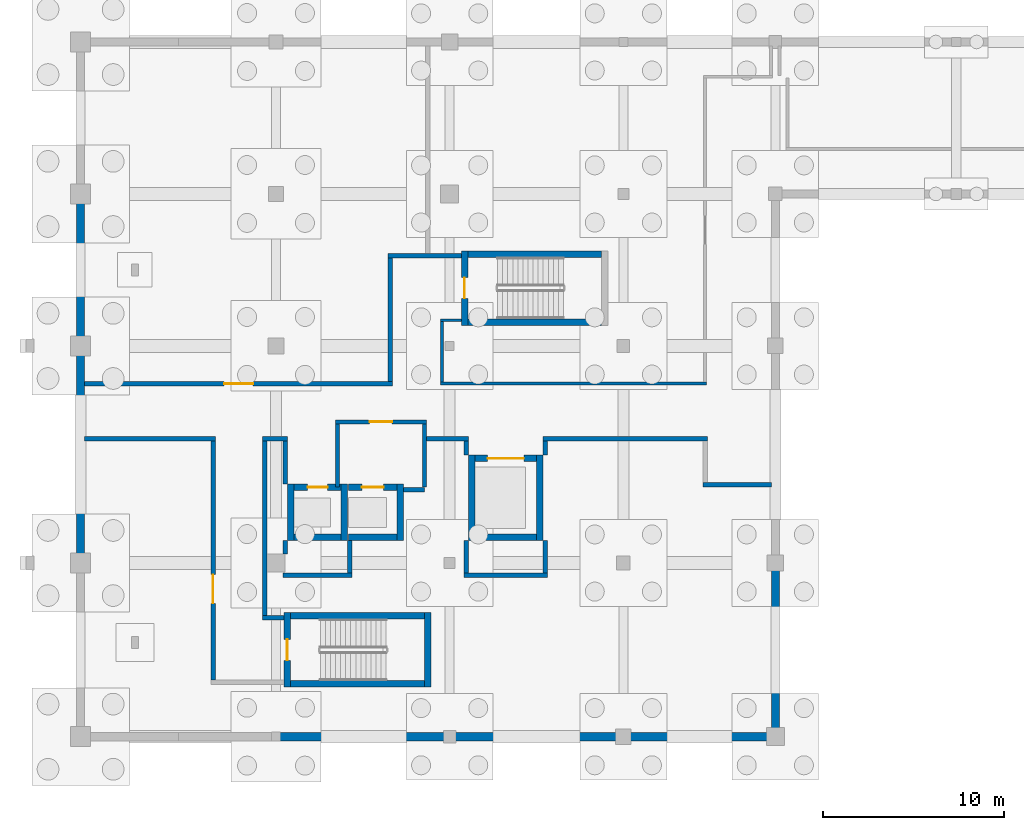
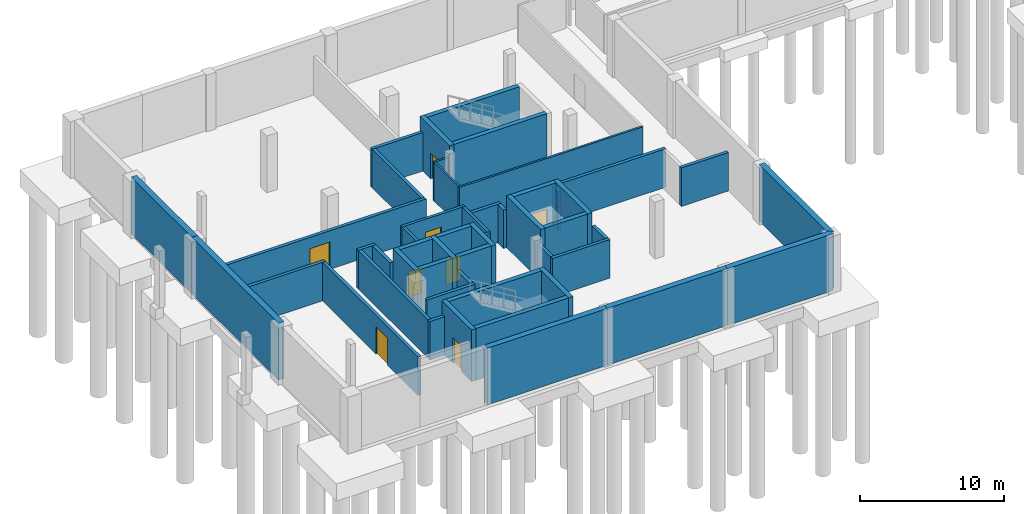
# One storey, part 12 of 28: 51 walls, 8 doors, 8 openings.
"""IFC4 building model written with IfcOpenShell, lengths in metres."""

from ifc_helpers import new_model, si_unit, direction, frame, frame_2d, origin, place, context, subcontext, project, spatial, rectangle, extrude, material, layer, layer_set, type_object, element, fill, save


model = new_model("IFC4")

# Units and contexts
model_context = context("Model", 3, precision=1e-05, world=origin(), true_north=direction((0.0, 1.0)))
body_context = subcontext(model_context, "Body", "Model", "MODEL_VIEW")
ifc_project = project(units=[si_unit("LENGTHUNIT", "METRE"), si_unit("AREAUNIT", "SQUARE_METRE"), si_unit("VOLUMEUNIT", "CUBIC_METRE"), si_unit("PLANEANGLEUNIT", "RADIAN"), si_unit("MASSUNIT", "GRAM", prefix="KILO")], contexts=[model_context])

# Site, building, storey
site_placement = place(None, origin())
site = spatial("IfcSite", under=ifc_project, at=site_placement, CompositionType="ELEMENT")
building_placement = place(site_placement, origin())
building = spatial("IfcBuilding", under=site, at=building_placement, Name="Zereglee Splitstone Museum", CompositionType="ELEMENT")
storey_placement = place(building_placement, frame((0.0, 0.0, -4.800048828125)))
storey = spatial("IfcBuildingStorey", under=building, at=storey_placement, Name="B1", CompositionType="ELEMENT", Elevation=-4.800048828125)

# Walls
ifc_material_1 = material(Name="Concrete C40/50", Category="concrete")
ifc_layer_1 = layer(ifc_material_1, 0.449951171875)
ifc_layer_set_1 = layer_set([ifc_layer_1], Name="Concrete C40/50")
wall_type_1 = type_object("IfcWallType", Name="ESW-01", PredefinedType="SHEAR", material=ifc_layer_set_1)
wall_1_placement = place(storey_placement, frame((9.60009765625, 30.0, 0.0), z_axis=(0.0, 0.0, 1.0), x_axis=(0.0, -1.0, 0.0)))
element("IfcWall", 1, at=wall_1_placement, inside=storey, type_object=wall_type_1, Name="Basement Perimeter Retaining Wall B1-082", PredefinedType="SHEAR", context=body_context, shape_type="SweptSolid", body=[
    extrude(rectangle(XDim=8.39990234375, YDim=0.449951171875, at=frame_2d((4.199951171875, 0.0))), origin(), (0.0, 0.0, 1.0), 4.800048828125),
])
wall_2_placement = place(storey_placement, frame((9.60009765625, 21.60009765625, 0.0), z_axis=(0.0, 0.0, 1.0), x_axis=(0.0, -1.0, 0.0)))
element("IfcWall", 2, at=wall_2_placement, inside=storey, type_object=wall_type_1, Name="Basement Perimeter Retaining Wall B1-083", PredefinedType="SHEAR", context=body_context, shape_type="SweptSolid", body=[
    extrude(rectangle(XDim=12.0, YDim=0.449951171875, at=frame_2d((6.0, 0.0))), origin(), (0.0, 0.0, 1.0), 4.800048828125),
])
for number, where, z_axis, x_axis, name in (
    (3, (20.39990234375, 0.0, 0.0), (0.0, 0.0, 1.0), (1.0, 0.0, 0.0), "Basement Perimeter Retaining Wall B1-087"),
    (4, (30.0, 0.0, 0.0), (0.0, 0.0, 1.0), (1.0, 0.0, 0.0), "Basement Perimeter Retaining Wall B1-088"),
):
    element("IfcWall", number, at=place(storey_placement, frame(where, z_axis=z_axis, x_axis=x_axis)), inside=storey, type_object=wall_type_1, Name=name, PredefinedType="SHEAR", context=body_context, shape_type="SweptSolid", body=[
        extrude(rectangle(XDim=9.60009765625, YDim=0.449951171875, at=frame_2d((4.800048828125, 0.0))), origin(), (0.0, 0.0, 1.0), 4.800048828125),
    ])
wall_3_placement = place(storey_placement, frame((39.60009765625, 0.0, 0.0), z_axis=(0.0, 0.0, 1.0), x_axis=(1.0, 0.0, 0.0)))
element("IfcWall", 5, at=wall_3_placement, inside=storey, type_object=wall_type_1, Name="Basement Perimeter Retaining Wall B1-089", PredefinedType="SHEAR", context=body_context, shape_type="SweptSolid", body=[
    extrude(rectangle(XDim=8.39990234375, YDim=0.449951171875, at=frame_2d((4.199951171875, 0.0))), origin(), (0.0, 0.0, 1.0), 4.800048828125),
])
wall_4_placement = place(storey_placement, frame((48.0, 0.0, 0.0), z_axis=(0.0, 0.0, 1.0), x_axis=(0.0, 1.0, 0.0)))
element("IfcWall", 6, at=wall_4_placement, inside=storey, type_object=wall_type_1, Name="Basement Perimeter Retaining Wall B1-090", PredefinedType="SHEAR", context=body_context, shape_type="SweptSolid", body=[
    extrude(rectangle(XDim=9.60009765625, YDim=0.449951171875, at=frame_2d((4.800048828125, 0.0))), origin(), (0.0, 0.0, 1.0), 4.800048828125),
])

# Wall, opening, door
ifc_material_2 = material(Name="Concrete C45/55", Category="concrete")
ifc_layer_2 = layer(ifc_material_2, 0.360107421875)
ifc_layer_set_2 = layer_set([ifc_layer_2], Name="Concrete C45/55")
wall_type_2 = type_object("IfcWallType", Name="CSW-02", PredefinedType="SHEAR", material=ifc_layer_set_2)
wall_5_placement = place(storey_placement, frame((21.02001953125, 2.739990234375, 0.0), z_axis=(0.0, 0.0, 1.0), x_axis=(0.0, 1.0, 0.0)))
wall_5 = element("IfcWall", 7, at=wall_5_placement, inside=storey, type_object=wall_type_2, Name="Stair Core Shear Wall ST-01 B1 West", PredefinedType="SHEAR", context=body_context, shape_type="SweptSolid", body=[
    extrude(rectangle(XDim=4.1201171875, YDim=0.360107421875, at=frame_2d((2.06005859375, 0.0))), origin(), (0.0, 0.0, 1.0), 4.380126953125),
])
opening_1_placement = place(wall_5_placement, frame((1.485107421875, 0.0, 0.0)))
opening_1 = element("IfcOpeningElement", 8, at=opening_1_placement, cuts=wall_5, Name="Opening ID-03", PredefinedType="OPENING", context=body_context, shape_type="SweptSolid", body=[
    extrude(rectangle(XDim=1.14990234375, YDim=2.14990234375, at=frame_2d((0.574951171875, 1.074951171875))), frame((0.0, 0.19482421875, 0.0), z_axis=(0.0, -1.0, 0.0), x_axis=(1.0, 0.0, 0.0)), (0.0, 0.0, 1.0), 0.389892578125),
])
ifc_material_3 = material(Name="Fire-rated steel and Siberian larch leaf", Category="steel")
door_type_1 = type_object("IfcDoorType", Name="ID-03", OperationType="NOTDEFINED", PredefinedType="DOOR", material=ifc_material_3)
door_1_placement = place(opening_1_placement, origin())
door_1 = element("IfcDoor", 9, at=door_1_placement, inside=storey, type_object=door_type_1, Name="Protected Stair Fire Door ST-01 B1", OperationType="SINGLE_SWING_LEFT", OverallHeight=2.14990234375, OverallWidth=1.14990234375, PredefinedType="DOOR", context=body_context, shape_type="SweptSolid", body=[
    extrude(rectangle(XDim=1.14990234375, YDim=2.14990234375, at=frame_2d((0.574951171875, 1.074951171875))), frame((0.0, 0.02490234375, 0.0), z_axis=(0.0, -1.0, 0.0), x_axis=(1.0, 0.0, 0.0)), (0.0, 0.0, 1.0), 0.050048828125),
])
fill(opening_1, door_1)

# Walls
wall_6_placement = place(storey_placement, frame((28.780029296875, 2.739990234375, 0.0), z_axis=(0.0, 0.0, 1.0), x_axis=(0.0, 1.0, 0.0)))
element("IfcWall", 10, at=wall_6_placement, inside=storey, type_object=wall_type_2, Name="Stair Core Shear Wall ST-01 B1 East", PredefinedType="SHEAR", context=body_context, shape_type="SweptSolid", body=[
    extrude(rectangle(XDim=4.1201171875, YDim=0.360107421875, at=frame_2d((2.06005859375, 0.0))), origin(), (0.0, 0.0, 1.0), 4.380126953125),
])
for number, where, z_axis, x_axis, name in (
    (11, (21.199951171875, 6.679931640625, 0.0), (0.0, 0.0, 1.0), (1.0, 0.0, 0.0), "Stair Core Shear Wall ST-01 B1 North"),
    (12, (21.199951171875, 2.919921875, 0.0), (0.0, 0.0, 1.0), (1.0, 0.0, 0.0), "Stair Core Shear Wall ST-01 B1 South"),
):
    element("IfcWall", number, at=place(storey_placement, frame(where, z_axis=z_axis, x_axis=x_axis)), inside=storey, type_object=wall_type_2, Name=name, PredefinedType="SHEAR", context=body_context, shape_type="SweptSolid", body=[
        extrude(rectangle(XDim=7.400146484375, YDim=0.360107421875, at=frame_2d((3.7001953125, 0.0))), origin(), (0.0, 0.0, 1.0), 4.380126953125),
    ])

# Wall, opening, door
wall_7_placement = place(storey_placement, frame((30.820068359375, 22.739990234375, 0.0), z_axis=(0.0, 0.0, 1.0), x_axis=(0.0, 1.0, 0.0)))
wall_7 = element("IfcWall", 13, at=wall_7_placement, inside=storey, type_object=wall_type_2, Name="Stair Core Shear Wall ST-02 B1 West", PredefinedType="SHEAR", context=body_context, shape_type="SweptSolid", body=[
    extrude(rectangle(XDim=4.1201171875, YDim=0.360107421875, at=frame_2d((2.06005859375, 0.0))), origin(), (0.0, 0.0, 1.0), 4.380126953125),
])
opening_2_placement = place(wall_7_placement, frame((1.485107421875, 0.0, 0.0)))
opening_2 = element("IfcOpeningElement", 14, at=opening_2_placement, cuts=wall_7, Name="Opening ID-03", PredefinedType="OPENING", context=body_context, shape_type="SweptSolid", body=[
    extrude(rectangle(XDim=1.14990234375, YDim=2.14990234375, at=frame_2d((0.574951171875, 1.074951171875))), frame((0.0, 0.19482421875, 0.0), z_axis=(0.0, -1.0, 0.0), x_axis=(1.0, 0.0, 0.0)), (0.0, 0.0, 1.0), 0.389892578125),
])
door_2_placement = place(opening_2_placement, origin())
door_2 = element("IfcDoor", 15, at=door_2_placement, inside=storey, type_object=door_type_1, Name="Protected Stair Fire Door ST-02 B1", OperationType="SINGLE_SWING_LEFT", OverallHeight=2.14990234375, OverallWidth=1.14990234375, PredefinedType="DOOR", context=body_context, shape_type="SweptSolid", body=[
    extrude(rectangle(XDim=1.14990234375, YDim=2.14990234375, at=frame_2d((0.574951171875, 1.074951171875))), frame((0.0, 0.02490234375, 0.0), z_axis=(0.0, -1.0, 0.0), x_axis=(1.0, 0.0, 0.0)), (0.0, 0.0, 1.0), 0.050048828125),
])
fill(opening_2, door_2)

# Walls
for number, where, z_axis, x_axis, name in (
    (16, (31.0, 26.679931640625, 0.0), (0.0, 0.0, 1.0), (1.0, 0.0, 0.0), "Stair Core Shear Wall ST-02 B1 North"),
    (17, (31.0, 22.919921875, 0.0), (0.0, 0.0, 1.0), (1.0, 0.0, 0.0), "Stair Core Shear Wall ST-02 B1 South"),
):
    element("IfcWall", number, at=place(storey_placement, frame(where, z_axis=z_axis, x_axis=x_axis)), inside=storey, type_object=wall_type_2, Name=name, PredefinedType="SHEAR", context=body_context, shape_type="SweptSolid", body=[
        extrude(rectangle(XDim=7.39990234375, YDim=0.360107421875, at=frame_2d((3.699951171875, 0.0))), origin(), (0.0, 0.0, 1.0), 4.380126953125),
    ])

# Wall, opening, door
wall_8_placement = place(storey_placement, frame((21.39990234375, 13.780029296875, 0.0), z_axis=(0.0, 0.0, 1.0), x_axis=(1.0, 0.0, 0.0)))
wall_8 = element("IfcWall", 18, at=wall_8_placement, inside=storey, type_object=wall_type_2, Name="Lift Shaft Wall PL-01 B1 North", PredefinedType="SHEAR", context=body_context, shape_type="SweptSolid", body=[
    extrude(rectangle(XDim=2.60009765625, YDim=0.360107421875, at=frame_2d((1.300048828125, 0.0))), origin(), (0.0, 0.0, 1.0), 4.380126953125),
])
opening_3_placement = place(wall_8_placement, frame((0.75, 0.0, 0.0)))
opening_3 = element("IfcOpeningElement", 19, at=opening_3_placement, cuts=wall_8, Name="Opening LD-01", PredefinedType="OPENING", context=body_context, shape_type="SweptSolid", body=[
    extrude(rectangle(XDim=1.10009765625, YDim=2.14990234375, at=frame_2d((0.550048828125, 1.074951171875))), frame((0.0, 0.19482421875, 0.0), z_axis=(0.0, -1.0, 0.0), x_axis=(1.0, 0.0, 0.0)), (0.0, 0.0, 1.0), 0.389892578125),
])
door_type_2 = type_object("IfcDoorType", Name="LD-01", OperationType="DOUBLE_DOOR_SLIDING", PredefinedType="DOOR", material=ifc_material_3)
door_3_placement = place(opening_3_placement, origin())
door_3 = element("IfcDoor", 20, at=door_3_placement, inside=storey, type_object=door_type_2, Name="Lift Landing Sliding Door PL-01 B1", OperationType="DOUBLE_DOOR_SLIDING", OverallHeight=2.14990234375, OverallWidth=1.10009765625, PredefinedType="DOOR", context=body_context, shape_type="SweptSolid", body=[
    extrude(rectangle(XDim=1.10009765625, YDim=2.14990234375, at=frame_2d((0.550048828125, 1.074951171875))), frame((0.0, 0.02490234375, 0.0), z_axis=(0.0, -1.0, 0.0), x_axis=(1.0, 0.0, 0.0)), (0.0, 0.0, 1.0), 0.050048828125),
])
fill(opening_3, door_3)

# Walls
wall_9_placement = place(storey_placement, frame((21.39990234375, 11.02001953125, 0.0), z_axis=(0.0, 0.0, 1.0), x_axis=(1.0, 0.0, 0.0)))
element("IfcWall", 21, at=wall_9_placement, inside=storey, type_object=wall_type_2, Name="Lift Shaft Wall PL-01 B1 South", PredefinedType="SHEAR", context=body_context, shape_type="SweptSolid", body=[
    extrude(rectangle(XDim=2.60009765625, YDim=0.360107421875, at=frame_2d((1.300048828125, 0.0))), origin(), (0.0, 0.0, 1.0), 4.380126953125),
])
for number, where, z_axis, x_axis, name in (
    (22, (21.219970703125, 10.840087890625, 0.0), (0.0, 0.0, 1.0), (0.0, 1.0, 0.0), "Lift Shaft Wall PL-01 B1 West"),
    (23, (24.179931640625, 10.840087890625, 0.0), (0.0, 0.0, 1.0), (0.0, 1.0, 0.0), "Lift Shaft Wall PL-01 B1 East"),
):
    element("IfcWall", number, at=place(storey_placement, frame(where, z_axis=z_axis, x_axis=x_axis)), inside=storey, type_object=wall_type_2, Name=name, PredefinedType="SHEAR", context=body_context, shape_type="SweptSolid", body=[
        extrude(rectangle(XDim=3.119873046875, YDim=0.360107421875, at=frame_2d((1.56005859375, 0.0))), origin(), (0.0, 0.0, 1.0), 4.380126953125),
    ])

# Wall, opening, door
wall_10_placement = place(storey_placement, frame((24.39990234375, 13.780029296875, 0.0), z_axis=(0.0, 0.0, 1.0), x_axis=(1.0, 0.0, 0.0)))
wall_10 = element("IfcWall", 24, at=wall_10_placement, inside=storey, type_object=wall_type_2, Name="Lift Shaft Wall FL-01 B1 North", PredefinedType="SHEAR", context=body_context, shape_type="SweptSolid", body=[
    extrude(rectangle(XDim=2.7001953125, YDim=0.360107421875, at=frame_2d((1.35009765625, 0.0))), origin(), (0.0, 0.0, 1.0), 4.380126953125),
])
opening_4_placement = place(wall_10_placement, frame((0.75, 0.0, 0.0)))
opening_4 = element("IfcOpeningElement", 25, at=opening_4_placement, cuts=wall_10, Name="Opening LD-02", PredefinedType="OPENING", context=body_context, shape_type="SweptSolid", body=[
    extrude(rectangle(XDim=1.199951171875, YDim=2.14990234375, at=frame_2d((0.60009765625, 1.074951171875))), frame((0.0, 0.19482421875, 0.0), z_axis=(0.0, -1.0, 0.0), x_axis=(1.0, 0.0, 0.0)), (0.0, 0.0, 1.0), 0.389892578125),
])
door_type_3 = type_object("IfcDoorType", Name="LD-02", OperationType="DOUBLE_DOOR_SLIDING", PredefinedType="DOOR", material=ifc_material_3)
door_4_placement = place(opening_4_placement, origin())
door_4 = element("IfcDoor", 26, at=door_4_placement, inside=storey, type_object=door_type_3, Name="Lift Landing Sliding Door FL-01 B1", OperationType="DOUBLE_DOOR_SLIDING", OverallHeight=2.14990234375, OverallWidth=1.199951171875, PredefinedType="DOOR", context=body_context, shape_type="SweptSolid", body=[
    extrude(rectangle(XDim=1.199951171875, YDim=2.14990234375, at=frame_2d((0.60009765625, 1.074951171875))), frame((0.0, 0.02490234375, 0.0), z_axis=(0.0, -1.0, 0.0), x_axis=(1.0, 0.0, 0.0)), (0.0, 0.0, 1.0), 0.050048828125),
])
fill(opening_4, door_4)

# Walls
wall_11_placement = place(storey_placement, frame((24.39990234375, 11.02001953125, 0.0), z_axis=(0.0, 0.0, 1.0), x_axis=(1.0, 0.0, 0.0)))
element("IfcWall", 27, at=wall_11_placement, inside=storey, type_object=wall_type_2, Name="Lift Shaft Wall FL-01 B1 South", PredefinedType="SHEAR", context=body_context, shape_type="SweptSolid", body=[
    extrude(rectangle(XDim=2.7001953125, YDim=0.360107421875, at=frame_2d((1.35009765625, 0.0))), origin(), (0.0, 0.0, 1.0), 4.380126953125),
])
wall_12_placement = place(storey_placement, frame((27.280029296875, 10.840087890625, 0.0), z_axis=(0.0, 0.0, 1.0), x_axis=(0.0, 1.0, 0.0)))
element("IfcWall", 28, at=wall_12_placement, inside=storey, type_object=wall_type_2, Name="Lift Shaft Wall FL-01 B1 East", PredefinedType="SHEAR", context=body_context, shape_type="SweptSolid", body=[
    extrude(rectangle(XDim=3.119873046875, YDim=0.360107421875, at=frame_2d((1.56005859375, 0.0))), origin(), (0.0, 0.0, 1.0), 4.380126953125),
])

# Wall, opening, door
wall_13_placement = place(storey_placement, frame((31.39990234375, 15.3798828125, 0.0), z_axis=(0.0, 0.0, 1.0), x_axis=(1.0, 0.0, 0.0)))
wall_13 = element("IfcWall", 29, at=wall_13_placement, inside=storey, type_object=wall_type_2, Name="Lift Shaft Wall GL-02 B1 North", PredefinedType="SHEAR", context=body_context, shape_type="SweptSolid", body=[
    extrude(rectangle(XDim=3.400146484375, YDim=0.360107421875, at=frame_2d((1.7001953125, 0.0))), origin(), (0.0, 0.0, 1.0), 4.380126953125),
])
opening_5_placement = place(wall_13_placement, frame((0.699951171875, 0.0, 0.0)))
opening_5 = element("IfcOpeningElement", 30, at=opening_5_placement, cuts=wall_13, Name="Opening LD-03", PredefinedType="OPENING", context=body_context, shape_type="SweptSolid", body=[
    extrude(rectangle(XDim=2.0, YDim=2.39990234375, at=frame_2d((1.0, 1.199951171875))), frame((0.0, 0.19482421875, 0.0), z_axis=(0.0, -1.0, 0.0), x_axis=(1.0, 0.0, 0.0)), (0.0, 0.0, 1.0), 0.389892578125),
])
door_type_4 = type_object("IfcDoorType", Name="LD-03", OperationType="DOUBLE_DOOR_SLIDING", PredefinedType="DOOR", material=ifc_material_3)
door_5_placement = place(opening_5_placement, origin())
door_5 = element("IfcDoor", 31, at=door_5_placement, inside=storey, type_object=door_type_4, Name="Lift Landing Sliding Door GL-02 B1", OperationType="DOUBLE_DOOR_SLIDING", OverallHeight=2.39990234375, OverallWidth=2.0, PredefinedType="DOOR", context=body_context, shape_type="SweptSolid", body=[
    extrude(rectangle(XDim=2.0, YDim=2.39990234375, at=frame_2d((1.0, 1.199951171875))), frame((0.0, 0.02490234375, 0.0), z_axis=(0.0, -1.0, 0.0), x_axis=(1.0, 0.0, 0.0)), (0.0, 0.0, 1.0), 0.050048828125),
])
fill(opening_5, door_5)

# Walls
wall_14_placement = place(storey_placement, frame((31.39990234375, 11.02001953125, 0.0), z_axis=(0.0, 0.0, 1.0), x_axis=(1.0, 0.0, 0.0)))
element("IfcWall", 32, at=wall_14_placement, inside=storey, type_object=wall_type_2, Name="Lift Shaft Wall GL-02 B1 South", PredefinedType="SHEAR", context=body_context, shape_type="SweptSolid", body=[
    extrude(rectangle(XDim=3.400146484375, YDim=0.360107421875, at=frame_2d((1.7001953125, 0.0))), origin(), (0.0, 0.0, 1.0), 4.380126953125),
])
for number, where, z_axis, x_axis, name in (
    (33, (31.219970703125, 10.840087890625, 0.0), (0.0, 0.0, 1.0), (0.0, 1.0, 0.0), "Lift Shaft Wall GL-02 B1 West"),
    (34, (34.97998046875, 10.840087890625, 0.0), (0.0, 0.0, 1.0), (0.0, 1.0, 0.0), "Lift Shaft Wall GL-02 B1 East"),
):
    element("IfcWall", number, at=place(storey_placement, frame(where, z_axis=z_axis, x_axis=x_axis)), inside=storey, type_object=wall_type_2, Name=name, PredefinedType="SHEAR", context=body_context, shape_type="SweptSolid", body=[
        extrude(rectangle(XDim=4.719970703125, YDim=0.360107421875, at=frame_2d((2.35986328125, 0.0))), origin(), (0.0, 0.0, 1.0), 4.380126953125),
    ])
ifc_layer_3 = layer(ifc_material_1, 0.25)
ifc_layer_set_3 = layer_set([ifc_layer_3], Name="Concrete C40/50")
wall_type_3 = type_object("IfcWallType", Name="IW-03", PredefinedType="PARTITIONING", material=ifc_layer_set_3)
wall_15_placement = place(storey_placement, frame((19.655029296875, 6.580078125, 0.0), z_axis=(0.0, 0.0, 1.0), x_axis=(1.0, 0.0, 0.0)))
element("IfcWall", 35, at=wall_15_placement, inside=storey, type_object=wall_type_3, Name="Interior Partition B1-0003 (Natural History Collection Archive)", PredefinedType="PARTITIONING", context=body_context, shape_type="SweptSolid", body=[
    extrude(rectangle(XDim=1.18505859375, YDim=0.25, at=frame_2d((0.592529296875, 0.0))), origin(), (0.0, 0.0, 1.0), 3.260009765625),
])
wall_16_placement = place(storey_placement, frame((20.794921875, 8.919921875, 0.0), z_axis=(0.0, 0.0, 1.0), x_axis=(1.0, 0.0, 0.0)))
element("IfcWall", 36, at=wall_16_placement, inside=storey, type_object=wall_type_3, Name="Interior Partition B1-0005 (Natural History Collection Archive)", PredefinedType="PARTITIONING", context=body_context, shape_type="SweptSolid", body=[
    extrude(rectangle(XDim=3.81005859375, YDim=0.25, at=frame_2d((1.905029296875, 0.0))), origin(), (0.0, 0.0, 1.0), 3.260009765625),
])
wall_17_placement = place(storey_placement, frame((30.794921875, 8.919921875, 0.0), z_axis=(0.0, 0.0, 1.0), x_axis=(1.0, 0.0, 0.0)))
element("IfcWall", 37, at=wall_17_placement, inside=storey, type_object=wall_type_3, Name="Interior Partition B1-0006 (Natural History Collection Archive)", PredefinedType="PARTITIONING", context=body_context, shape_type="SweptSolid", body=[
    extrude(rectangle(XDim=4.610107421875, YDim=0.25, at=frame_2d((2.30517578125, 0.0))), origin(), (0.0, 0.0, 1.0), 3.260009765625),
])
wall_18_placement = place(storey_placement, frame((27.4599609375, 13.659912109375, 0.0), z_axis=(0.0, 0.0, 1.0), x_axis=(1.0, 0.0, 0.0)))
element("IfcWall", 38, at=wall_18_placement, inside=storey, type_object=wall_type_3, Name="Interior Partition B1-0015 (Natural History Collection Archive)", PredefinedType="PARTITIONING", context=body_context, shape_type="SweptSolid", body=[
    extrude(rectangle(XDim=1.14013671875, YDim=0.25, at=frame_2d((0.570068359375, 0.0))), origin(), (0.0, 0.0, 1.0), 3.260009765625),
])
wall_19_placement = place(storey_placement, frame((43.9951171875, 13.919921875, 0.0), z_axis=(0.0, 0.0, 1.0), x_axis=(1.0, 0.0, 0.0)))
element("IfcWall", 39, at=wall_19_placement, inside=storey, type_object=wall_type_3, Name="Interior Partition B1-0016 (Natural History Collection Archive)", PredefinedType="PARTITIONING", context=body_context, shape_type="SweptSolid", body=[
    extrude(rectangle(XDim=3.77978515625, YDim=0.25, at=frame_2d((1.889892578125, 0.0))), origin(), (0.0, 0.0, 1.0), 3.260009765625),
])
wall_20_placement = place(storey_placement, frame((9.824951171875, 16.47998046875, 0.0), z_axis=(0.0, 0.0, 1.0), x_axis=(1.0, 0.0, 0.0)))
element("IfcWall", 40, at=wall_20_placement, inside=storey, type_object=wall_type_3, Name="Interior Partition B1-0018 (Natural History Collection Archive)", PredefinedType="PARTITIONING", context=body_context, shape_type="SweptSolid", body=[
    extrude(rectangle(XDim=7.219970703125, YDim=0.25, at=frame_2d((3.60986328125, 0.0))), origin(), (0.0, 0.0, 1.0), 3.260009765625),
])
wall_21_placement = place(storey_placement, frame((19.655029296875, 16.47998046875, 0.0), z_axis=(0.0, 0.0, 1.0), x_axis=(1.0, 0.0, 0.0)))
element("IfcWall", 41, at=wall_21_placement, inside=storey, type_object=wall_type_3, Name="Interior Partition B1-0019 (Natural History Collection Archive)", PredefinedType="PARTITIONING", context=body_context, shape_type="SweptSolid", body=[
    extrude(rectangle(XDim=1.389892578125, YDim=0.25, at=frame_2d((0.69482421875, 0.0))), origin(), (0.0, 0.0, 1.0), 3.260009765625),
])
wall_22_placement = place(storey_placement, frame((28.7099609375, 16.47998046875, 0.0), z_axis=(0.0, 0.0, 1.0), x_axis=(1.0, 0.0, 0.0)))
element("IfcWall", 42, at=wall_22_placement, inside=storey, type_object=wall_type_3, Name="Interior Partition B1-0020 (Natural History Collection Archive)", PredefinedType="PARTITIONING", context=body_context, shape_type="SweptSolid", body=[
    extrude(rectangle(XDim=2.3349609375, YDim=0.25, at=frame_2d((1.16748046875, 0.0))), origin(), (0.0, 0.0, 1.0), 3.260009765625),
])
wall_23_placement = place(storey_placement, frame((35.155029296875, 16.47998046875, 0.0), z_axis=(0.0, 0.0, 1.0), x_axis=(1.0, 0.0, 0.0)))
element("IfcWall", 43, at=wall_23_placement, inside=storey, type_object=wall_type_3, Name="Interior Partition B1-0021 (Natural History Collection Archive)", PredefinedType="PARTITIONING", context=body_context, shape_type="SweptSolid", body=[
    extrude(rectangle(XDim=9.090087890625, YDim=0.25, at=frame_2d((4.544921875, 0.0))), origin(), (0.0, 0.0, 1.0), 3.260009765625),
])

# Wall, opening, door
wall_24_placement = place(storey_placement, frame((9.824951171875, 19.52001953125, 0.0), z_axis=(0.0, 0.0, 1.0), x_axis=(1.0, 0.0, 0.0)))
wall_24 = element("IfcWall", 44, at=wall_24_placement, inside=storey, type_object=wall_type_3, Name="Interior Partition B1-0030 (Paleontology Specimen Archive)", PredefinedType="PARTITIONING", context=body_context, shape_type="SweptSolid", body=[
    extrude(rectangle(XDim=17.02001953125, YDim=0.25, at=frame_2d((8.510009765625, 0.0))), origin(), (0.0, 0.0, 1.0), 3.260009765625),
])
opening_6_placement = place(wall_24_placement, frame((7.7099609375, 0.0, 0.0)))
opening_6 = element("IfcOpeningElement", 45, at=opening_6_placement, cuts=wall_24, Name="Opening ID-05", PredefinedType="OPENING", context=body_context, shape_type="SweptSolid", body=[
    extrude(rectangle(XDim=1.60009765625, YDim=2.300048828125, at=frame_2d((0.800048828125, 1.14990234375))), frame((0.0, 0.139892578125, 0.0), z_axis=(0.0, -1.0, 0.0), x_axis=(1.0, 0.0, 0.0)), (0.0, 0.0, 1.0), 0.27978515625),
])
door_type_5 = type_object("IfcDoorType", Name="ID-05", OperationType="NOTDEFINED", PredefinedType="DOOR", material=ifc_material_3)
door_6_placement = place(opening_6_placement, origin())
door_6 = element("IfcDoor", 46, at=door_6_placement, inside=storey, type_object=door_type_5, Name="Interior Door B1-0004 (Paleontology Specimen Archive)", OperationType="DOUBLE_DOOR_SINGLE_SWING", OverallHeight=2.300048828125, OverallWidth=1.60009765625, PredefinedType="DOOR", context=body_context, shape_type="SweptSolid", body=[
    extrude(rectangle(XDim=1.60009765625, YDim=2.300048828125, at=frame_2d((0.800048828125, 1.14990234375))), frame((0.0, 0.02490234375, 0.0), z_axis=(0.0, -1.0, 0.0), x_axis=(1.0, 0.0, 0.0)), (0.0, 0.0, 1.0), 0.050048828125),
])
fill(opening_6, door_6)

# Wall
wall_25_placement = place(storey_placement, frame((26.594970703125, 26.580078125, 0.0), z_axis=(0.0, 0.0, 1.0), x_axis=(1.0, 0.0, 0.0)))
element("IfcWall", 47, at=wall_25_placement, inside=storey, type_object=wall_type_3, Name="Interior Partition B1-0042 (Paleontology Specimen Archive)", PredefinedType="PARTITIONING", context=body_context, shape_type="SweptSolid", body=[
    extrude(rectangle(XDim=4.044921875, YDim=0.25, at=frame_2d((2.0224609375, 0.0))), origin(), (0.0, 0.0, 1.0), 3.260009765625),
])

# Wall, opening, door
wall_26_placement = place(storey_placement, frame((16.919921875, 3.14501953125, 0.0), z_axis=(0.0, 0.0, 1.0), x_axis=(0.0, 1.0, 0.0)))
wall_26 = element("IfcWall", 48, at=wall_26_placement, inside=storey, type_object=wall_type_3, Name="Interior Partition B1-0073 (Natural History Collection Archive)", PredefinedType="PARTITIONING", context=body_context, shape_type="SweptSolid", body=[
    extrude(rectangle(XDim=13.2099609375, YDim=0.25, at=frame_2d((6.60498046875, 0.0))), origin(), (0.0, 0.0, 1.0), 3.260009765625),
])
opening_7_placement = place(wall_26_placement, frame((4.2197265625, 0.0, 0.0)))
opening_7 = element("IfcOpeningElement", 49, at=opening_7_placement, cuts=wall_26, Name="Opening ID-05", PredefinedType="OPENING", context=body_context, shape_type="SweptSolid", body=[
    extrude(rectangle(XDim=1.60009765625, YDim=2.300048828125, at=frame_2d((0.800048828125, 1.14990234375))), frame((0.0, 0.139892578125, 0.0), z_axis=(0.0, -1.0, 0.0), x_axis=(1.0, 0.0, 0.0)), (0.0, 0.0, 1.0), 0.27978515625),
])
door_7_placement = place(opening_7_placement, origin())
door_7 = element("IfcDoor", 50, at=door_7_placement, inside=storey, type_object=door_type_5, Name="Interior Door B1-0003 (Natural History Collection Archive)", OperationType="DOUBLE_DOOR_SINGLE_SWING", OverallHeight=2.300048828125, OverallWidth=1.60009765625, PredefinedType="DOOR", context=body_context, shape_type="SweptSolid", body=[
    extrude(rectangle(XDim=1.60009765625, YDim=2.300048828125, at=frame_2d((0.800048828125, 1.14990234375))), frame((0.0, 0.02490234375, 0.0), z_axis=(0.0, -1.0, 0.0), x_axis=(1.0, 0.0, 0.0)), (0.0, 0.0, 1.0), 0.050048828125),
])
fill(opening_7, door_7)

# Walls
wall_27_placement = place(storey_placement, frame((19.780029296875, 6.705078125, 0.0), z_axis=(0.0, 0.0, 1.0), x_axis=(0.0, 1.0, 0.0)))
element("IfcWall", 51, at=wall_27_placement, inside=storey, type_object=wall_type_3, Name="Interior Partition B1-0074 (Natural History Collection Archive)", PredefinedType="PARTITIONING", context=body_context, shape_type="SweptSolid", body=[
    extrude(rectangle(XDim=9.64990234375, YDim=0.25, at=frame_2d((4.824951171875, 0.0))), origin(), (0.0, 0.0, 1.0), 3.260009765625),
])
wall_28_placement = place(storey_placement, frame((20.919921875, 10.10009765625, 0.0), z_axis=(0.0, 0.0, 1.0), x_axis=(0.0, 1.0, 0.0)))
element("IfcWall", 52, at=wall_28_placement, inside=storey, type_object=wall_type_3, Name="Interior Partition B1-0075 (Natural History Collection Archive)", PredefinedType="PARTITIONING", context=body_context, shape_type="SweptSolid", body=[
    extrude(rectangle(XDim=0.739990234375, YDim=0.25, at=frame_2d((0.3701171875, 0.0))), origin(), (0.0, 0.0, 1.0), 3.260009765625),
])
wall_29_placement = place(storey_placement, frame((20.919921875, 13.9599609375, 0.0), z_axis=(0.0, 0.0, 1.0), x_axis=(0.0, 1.0, 0.0)))
element("IfcWall", 53, at=wall_29_placement, inside=storey, type_object=wall_type_3, Name="Interior Partition B1-0076 (Natural History Collection Archive)", PredefinedType="PARTITIONING", context=body_context, shape_type="SweptSolid", body=[
    extrude(rectangle(XDim=2.39501953125, YDim=0.25, at=frame_2d((1.197509765625, 0.0))), origin(), (0.0, 0.0, 1.0), 3.260009765625),
])
wall_30_placement = place(storey_placement, frame((24.47998046875, 9.044921875, 0.0), z_axis=(0.0, 0.0, 1.0), x_axis=(0.0, 1.0, 0.0)))
element("IfcWall", 54, at=wall_30_placement, inside=storey, type_object=wall_type_3, Name="Interior Partition B1-0077 (Natural History Collection Archive)", PredefinedType="PARTITIONING", context=body_context, shape_type="SweptSolid", body=[
    extrude(rectangle(XDim=1.795166015625, YDim=0.25, at=frame_2d((0.8974609375, 0.0))), origin(), (0.0, 0.0, 1.0), 3.260009765625),
])
wall_31_placement = place(storey_placement, frame((26.719970703125, 19.64501953125, 0.0), z_axis=(0.0, 0.0, 1.0), x_axis=(0.0, 1.0, 0.0)))
element("IfcWall", 55, at=wall_31_placement, inside=storey, type_object=wall_type_3, Name="Interior Partition B1-0078 (Paleontology Specimen Archive)", PredefinedType="PARTITIONING", context=body_context, shape_type="SweptSolid", body=[
    extrude(rectangle(XDim=6.81005859375, YDim=0.25, at=frame_2d((3.405029296875, 0.0))), origin(), (0.0, 0.0, 1.0), 3.260009765625),
])
wall_32_placement = place(storey_placement, frame((30.919921875, 9.044921875, 0.0), z_axis=(0.0, 0.0, 1.0), x_axis=(0.0, 1.0, 0.0)))
element("IfcWall", 56, at=wall_32_placement, inside=storey, type_object=wall_type_3, Name="Interior Partition B1-0081 (Natural History Collection Archive)", PredefinedType="PARTITIONING", context=body_context, shape_type="SweptSolid", body=[
    extrude(rectangle(XDim=1.795166015625, YDim=0.25, at=frame_2d((0.8974609375, 0.0))), origin(), (0.0, 0.0, 1.0), 3.260009765625),
])
wall_33_placement = place(storey_placement, frame((30.919921875, 15.56005859375, 0.0), z_axis=(0.0, 0.0, 1.0), x_axis=(0.0, 1.0, 0.0)))
element("IfcWall", 57, at=wall_33_placement, inside=storey, type_object=wall_type_3, Name="Interior Partition B1-0082 (Natural History Collection Archive)", PredefinedType="PARTITIONING", context=body_context, shape_type="SweptSolid", body=[
    extrude(rectangle(XDim=0.794921875, YDim=0.25, at=frame_2d((0.3974609375, 0.0))), origin(), (0.0, 0.0, 1.0), 3.260009765625),
])
wall_34_placement = place(storey_placement, frame((35.280029296875, 9.044921875, 0.0), z_axis=(0.0, 0.0, 1.0), x_axis=(0.0, 1.0, 0.0)))
element("IfcWall", 58, at=wall_34_placement, inside=storey, type_object=wall_type_3, Name="Interior Partition B1-0083 (Natural History Collection Archive)", PredefinedType="PARTITIONING", context=body_context, shape_type="SweptSolid", body=[
    extrude(rectangle(XDim=1.795166015625, YDim=0.25, at=frame_2d((0.8974609375, 0.0))), origin(), (0.0, 0.0, 1.0), 3.260009765625),
])
wall_35_placement = place(storey_placement, frame((35.280029296875, 15.56005859375, 0.0), z_axis=(0.0, 0.0, 1.0), x_axis=(0.0, 1.0, 0.0)))
element("IfcWall", 59, at=wall_35_placement, inside=storey, type_object=wall_type_3, Name="Interior Partition B1-0084 (Natural History Collection Archive)", PredefinedType="PARTITIONING", context=body_context, shape_type="SweptSolid", body=[
    extrude(rectangle(XDim=0.794921875, YDim=0.25, at=frame_2d((0.3974609375, 0.0))), origin(), (0.0, 0.0, 1.0), 3.260009765625),
])
ifc_material_4 = material(Name="Fire-rated gypsum board partition", Category="masonry")
ifc_layer_4 = layer(ifc_material_4, 0.159912109375)
ifc_layer_set_4 = layer_set([ifc_layer_4], Name="Fire-rated gypsum board partition")
wall_type_4 = type_object("IfcWallType", Name="IW-04", PredefinedType="PARTITIONING", material=ifc_layer_set_4)
wall_36_placement = place(storey_placement, frame((29.5, 19.52001953125, 0.0), z_axis=(0.0, 0.0, 1.0), x_axis=(1.0, 0.0, 0.0)))
element("IfcWall", 60, at=wall_36_placement, inside=storey, type_object=wall_type_4, Name="Interior Partition B1-0031 (Stone Conservation Laboratory)", PredefinedType="PARTITIONING", context=body_context, shape_type="SweptSolid", body=[
    extrude(rectangle(XDim=14.699951171875, YDim=0.159912109375, at=frame_2d((7.35009765625, 0.0))), origin(), (0.0, 0.0, 1.0), 3.260009765625),
])
wall_37_placement = place(storey_placement, frame((29.5, 23.02001953125, 0.0), z_axis=(0.0, 0.0, 1.0), x_axis=(1.0, 0.0, 0.0)))
element("IfcWall", 61, at=wall_37_placement, inside=storey, type_object=wall_type_4, Name="Interior Partition B1-0040 (Stone Conservation Laboratory)", PredefinedType="PARTITIONING", context=body_context, shape_type="SweptSolid", body=[
    extrude(rectangle(XDim=1.139892578125, YDim=0.159912109375, at=frame_2d((0.56982421875, 0.0))), origin(), (0.0, 0.0, 1.0), 3.260009765625),
])
wall_38_placement = place(storey_placement, frame((29.580078125, 19.60009765625, 0.0), z_axis=(0.0, 0.0, 1.0), x_axis=(0.0, 1.0, 0.0)))
element("IfcWall", 62, at=wall_38_placement, inside=storey, type_object=wall_type_4, Name="Interior Partition B1-0080 (Stone Conservation Laboratory)", PredefinedType="PARTITIONING", context=body_context, shape_type="SweptSolid", body=[
    extrude(rectangle(XDim=3.33984375, YDim=0.159912109375, at=frame_2d((1.669921875, 0.0))), origin(), (0.0, 0.0, 1.0), 3.260009765625),
])

# Wall, opening, door
ifc_material_5 = material(Name="Concrete C35/45", Category="concrete")
ifc_layer_5 = layer(ifc_material_5, 0.219970703125)
ifc_layer_set_5 = layer_set([ifc_layer_5], Name="Concrete C35/45")
wall_type_5 = type_object("IfcWallType", Name="IW-01", PredefinedType="PARTITIONING", material=ifc_layer_set_5)
wall_39_placement = place(storey_placement, frame((23.68994140625, 17.39990234375, 0.0), z_axis=(0.0, 0.0, 1.0), x_axis=(1.0, 0.0, 0.0)))
wall_39 = element("IfcWall", 63, at=wall_39_placement, inside=storey, type_object=wall_type_5, Name="Firefighting Lobby Wall B1 North", PredefinedType="PARTITIONING", context=body_context, shape_type="SweptSolid", body=[
    extrude(rectangle(XDim=5.02001953125, YDim=0.219970703125, at=frame_2d((2.510009765625, 0.0))), origin(), (0.0, 0.0, 1.0), 3.260009765625),
])
opening_8_placement = place(wall_39_placement, frame((1.885009765625, 0.0, 0.0)))
opening_8 = element("IfcOpeningElement", 64, at=opening_8_placement, cuts=wall_39, Name="Opening ID-04", PredefinedType="OPENING", context=body_context, shape_type="SweptSolid", body=[
    extrude(rectangle(XDim=1.25, YDim=2.14990234375, at=frame_2d((0.625, 1.074951171875))), frame((0.0, 0.125, 0.0), z_axis=(0.0, -1.0, 0.0), x_axis=(1.0, 0.0, 0.0)), (0.0, 0.0, 1.0), 0.249755859375),
])
door_type_6 = type_object("IfcDoorType", Name="ID-04", OperationType="NOTDEFINED", PredefinedType="DOOR", material=ifc_material_3)
door_8_placement = place(opening_8_placement, origin())
door_8 = element("IfcDoor", 65, at=door_8_placement, inside=storey, type_object=door_type_6, Name="Firefighting Lobby Fire Door B1", OperationType="SINGLE_SWING_RIGHT", OverallHeight=2.14990234375, OverallWidth=1.25, PredefinedType="DOOR", context=body_context, shape_type="SweptSolid", body=[
    extrude(rectangle(XDim=1.25, YDim=2.14990234375, at=frame_2d((0.625, 1.074951171875))), frame((0.0, 0.02490234375, 0.0), z_axis=(0.0, -1.0, 0.0), x_axis=(1.0, 0.0, 0.0)), (0.0, 0.0, 1.0), 0.050048828125),
])
fill(opening_8, door_8)

# Walls
for number, where, z_axis, x_axis, name in (
    (66, (23.800048828125, 13.800048828125, 0.0), (0.0, 0.0, 1.0), (0.0, 1.0, 0.0), "Firefighting Lobby Wall B1 West"),
    (67, (28.60009765625, 13.800048828125, 0.0), (0.0, 0.0, 1.0), (0.0, 1.0, 0.0), "Firefighting Lobby Wall B1 East"),
):
    element("IfcWall", number, at=place(storey_placement, frame(where, z_axis=z_axis, x_axis=x_axis)), inside=storey, type_object=wall_type_5, Name=name, PredefinedType="PARTITIONING", context=body_context, shape_type="SweptSolid", body=[
        extrude(rectangle(XDim=3.489990234375, YDim=0.219970703125, at=frame_2d((1.7451171875, 0.0))), origin(), (0.0, 0.0, 1.0), 3.260009765625),
    ])

save(model, "model.ifc")
